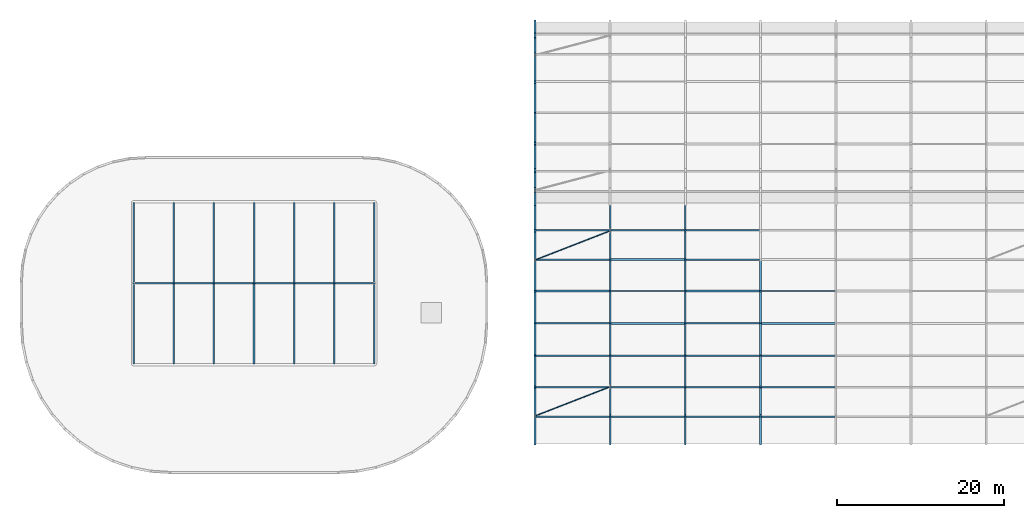
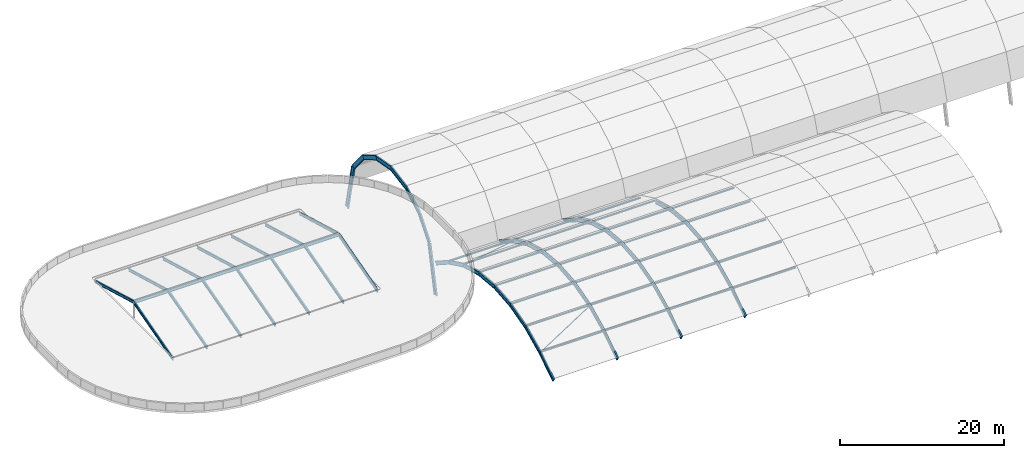
# One storey, part 3 of 15: 80 members, 1 beam.
"""IFC4 building model written with IfcOpenShell, lengths in metres."""

from ifc_helpers import new_model, si_unit, direction, frame, origin, origin_2d, place, context, subcontext, project, spatial, hollow_circle, i_section, extrude, material, material_profile, profile_set, type_object, element, save


model = new_model("IFC4")

# Units and contexts
model_context = context("Model", 3, precision=1e-05, world=origin(), true_north=direction((0.0, 1.0)))
body_context = subcontext(model_context, "Body", "Model", "MODEL_VIEW")
ifc_project = project(units=[si_unit("LENGTHUNIT", "METRE"), si_unit("AREAUNIT", "SQUARE_METRE"), si_unit("VOLUMEUNIT", "CUBIC_METRE"), si_unit("PLANEANGLEUNIT", "RADIAN"), si_unit("MASSUNIT", "GRAM", prefix="KILO")], contexts=[model_context])

# Site, building, storey
site_placement = place(None, origin())
site = spatial("IfcSite", under=ifc_project, at=site_placement, CompositionType="ELEMENT")
building_placement = place(site_placement, origin())
building = spatial("IfcBuilding", under=site, at=building_placement, Name="Cendralis Terraced Arcade", CompositionType="ELEMENT")
storey_placement = place(building_placement, frame((0.0, 0.0, 34.199951171875)))
storey = spatial("IfcBuildingStorey", under=building, at=storey_placement, Name="RF", CompositionType="ELEMENT", Elevation=34.199951171875)

# Beam
ifc_material_1 = material(Name="Steel ASTM A992 Grade 50", Category="steel")
ifc_material_profile_1 = material_profile(ifc_material_1, i_section(OverallWidth=0.19189453125, OverallDepth=0.462890625, WebThickness=0.010498046875, FlangeThickness=0.017578125, FilletRadius=0.012939453125, at=origin_2d()), Name="W460X89", Category="LoadBearing")
ifc_profile_set_1 = profile_set([ifc_material_profile_1], Name="Steel ASTM A992 Grade 50")
beam_type = type_object("IfcBeamType", Name="BM-CAN-W460", PredefinedType="BEAM", material=ifc_profile_set_1)
beam_placement = place(storey_placement, frame((19.31005859375, 28.800048828125, 2.300048828125), z_axis=(1.0, 0.0, 0.0), x_axis=(0.0, 1.0, 0.0)))
element("IfcBeam", 1, at=beam_placement, inside=storey, type_object=beam_type, Name="Atrium Skylight Steel Ridge Beam", PredefinedType="BEAM", context=body_context, shape_type="SweptSolid", body=[
    extrude(i_section(OverallWidth=0.19189453125, OverallDepth=0.462890625, WebThickness=0.010498046875, FlangeThickness=0.017578125, FilletRadius=0.012939453125, at=origin_2d()), origin(), (0.0, 0.0, 1.0), 28.579833984375),
])

# Members
ifc_material_profile_2 = material_profile(ifc_material_1, i_section(OverallWidth=0.178955078125, OverallDepth=0.409912109375, WebThickness=0.0087890625, FlangeThickness=0.014404296875, FilletRadius=0.010009765625, at=origin_2d()), Name="W410X67", Category="LoadBearing")
ifc_profile_set_2 = profile_set([ifc_material_profile_2], Name="Steel ASTM A992 Grade 50")
member_type_1 = type_object("IfcMemberType", Name="MEM-ARCH-W410", PredefinedType="RAFTER", material=ifc_profile_set_2)
for number, where, z_axis, x_axis, name in (
    (2, (19.199951171875, 28.800048828125, 2.330078125), (0.0, 0.963172847241, -0.268882997486), (-1.0, 0.0, 0.0), "Atrium Skylight Steel Rafter 19-2"),
    (3, (24.0, 28.800048828125, 2.330078125), (0.0, 0.963172847241, -0.268882997486), (-1.0, 0.0, 0.0), "Atrium Skylight Steel Rafter 24-2"),
    (4, (28.800048828125, 28.800048828125, 2.330078125), (0.0, 0.963172847241, -0.268882997486), (-1.0, 0.0, 0.0), "Atrium Skylight Steel Rafter 28-2"),
    (5, (33.60009765625, 28.800048828125, 2.330078125), (0.0, 0.963172847241, -0.268882997486), (-1.0, 0.0, 0.0), "Atrium Skylight Steel Rafter 33-2"),
    (6, (38.39990234375, 28.800048828125, 2.330078125), (0.0, 0.963172847241, -0.268882997486), (-1.0, 0.0, 0.0), "Atrium Skylight Steel Rafter 38-2"),
    (7, (43.199951171875, 28.800048828125, 2.330078125), (0.0, 0.963172847241, -0.268882997486), (-1.0, 0.0, 0.0), "Atrium Skylight Steel Rafter 43-2"),
    (8, (48.0, 28.800048828125, 2.330078125), (0.0, 0.963172847241, -0.268882997486), (-1.0, 0.0, 0.0), "Atrium Skylight Steel Rafter 48-2"),
):
    element("IfcMember", number, at=place(storey_placement, frame(where, z_axis=z_axis, x_axis=x_axis)), inside=storey, type_object=member_type_1, Name=name, PredefinedType="RAFTER", context=body_context, shape_type="SweptSolid", body=[
        extrude(i_section(OverallWidth=0.178955078125, OverallDepth=0.409912109375, WebThickness=0.0087890625, FlangeThickness=0.014404296875, FilletRadius=0.010009765625, at=origin_2d()), origin(), (0.0, 0.0, 1.0), 9.966796875),
    ])
ifc_material_profile_3 = material_profile(ifc_material_1, i_section(OverallWidth=0.194091796875, OverallDepth=0.468994140625, WebThickness=0.0126953125, FlangeThickness=0.0205078125, FilletRadius=0.012939453125, at=origin_2d()), Name="W460X106", Category="LoadBearing")
ifc_profile_set_3 = profile_set([ifc_material_profile_3], Name="Steel ASTM A992 Grade 50")
member_type_2 = type_object("IfcMemberType", Name="MEM-ARCH-W460", PredefinedType="RAFTER", material=ifc_profile_set_3)
for number, where, z_axis, x_axis, name in (
    (9, (19.199951171875, 19.199951171875, -0.349853515625), (0.0, 0.963174618129, 0.268876653863), (-1.0, 0.0, 0.0), "Atrium Skylight Steel Rafter 19-1"),
    (10, (24.0, 19.199951171875, -0.349853515625), (0.0, 0.963174618129, 0.268876653863), (-1.0, 0.0, 0.0), "Atrium Skylight Steel Rafter 24-1"),
    (11, (28.800048828125, 19.199951171875, -0.349853515625), (0.0, 0.963174618129, 0.268876653863), (-1.0, 0.0, 0.0), "Atrium Skylight Steel Rafter 28-1"),
    (12, (33.60009765625, 19.199951171875, -0.349853515625), (0.0, 0.963174618129, 0.268876653863), (-1.0, 0.0, 0.0), "Atrium Skylight Steel Rafter 33-1"),
    (13, (38.39990234375, 19.199951171875, -0.349853515625), (0.0, 0.963174618129, 0.268876653863), (-1.0, 0.0, 0.0), "Atrium Skylight Steel Rafter 38-1"),
    (14, (43.199951171875, 19.199951171875, -0.349853515625), (0.0, 0.963174618129, 0.268876653863), (-1.0, 0.0, 0.0), "Atrium Skylight Steel Rafter 43-1"),
    (15, (48.0, 19.199951171875, -0.349853515625), (0.0, 0.963174618129, 0.268876653863), (-1.0, 0.0, 0.0), "Atrium Skylight Steel Rafter 48-1"),
):
    element("IfcMember", number, at=place(storey_placement, frame(where, z_axis=z_axis, x_axis=x_axis)), inside=storey, type_object=member_type_2, Name=name, PredefinedType="RAFTER", context=body_context, shape_type="SweptSolid", body=[
        extrude(i_section(OverallWidth=0.194091796875, OverallDepth=0.468994140625, WebThickness=0.0126953125, FlangeThickness=0.0205078125, FilletRadius=0.012939453125, at=origin_2d()), origin(), (0.0, 0.0, 1.0), 9.967041015625),
    ])
ifc_material_profile_4 = material_profile(ifc_material_1, i_section(OverallWidth=0.2099609375, OverallDepth=0.537109375, WebThickness=0.010986328125, FlangeThickness=0.017333984375, FilletRadius=0.012939453125, at=origin_2d()), Name="W530X101", Category="LoadBearing")
ifc_profile_set_4 = profile_set([ifc_material_profile_4], Name="Steel ASTM A992 Grade 50")
member_type_3 = type_object("IfcMemberType", Name="MEM-ARCH-W530", PredefinedType="RAFTER", material=ifc_profile_set_4)
member_1_placement = place(storey_placement, frame((67.199951171875, 9.60009765625, -14.5), z_axis=(0.0, 0.840133581177, 0.542379540339), x_axis=(-1.0, 0.0, 0.0)))
element("IfcMember", 16, at=member_1_placement, inside=storey, type_object=member_type_3, Name="Gourmet Food Hall Barrel Vault Arch Rib VA-FH-R01-S1", PredefinedType="RAFTER", context=body_context, shape_type="SweptSolid", body=[
    extrude(i_section(OverallWidth=0.2099609375, OverallDepth=0.537109375, WebThickness=0.010986328125, FlangeThickness=0.017333984375, FilletRadius=0.012939453125, at=origin_2d()), origin(), (0.0, 0.0, 1.0), 3.961181640625),
])
member_2_placement = place(storey_placement, frame((67.199951171875, 12.927978515625, -12.3515625), z_axis=(0.0, 0.901136792694, 0.433534866941), x_axis=(-1.0, 0.0, 0.0)))
element("IfcMember", 17, at=member_2_placement, inside=storey, type_object=member_type_3, Name="Gourmet Food Hall Barrel Vault Arch Rib VA-FH-R01-S2", PredefinedType="RAFTER", context=body_context, shape_type="SweptSolid", body=[
    extrude(i_section(OverallWidth=0.2099609375, OverallDepth=0.537109375, WebThickness=0.010986328125, FlangeThickness=0.017333984375, FilletRadius=0.012939453125, at=origin_2d()), origin(), (0.0, 0.0, 1.0), 3.869873046875),
])
member_3_placement = place(storey_placement, frame((67.199951171875, 16.415283203125, -10.673828125), z_axis=(0.0, 0.964011577541, 0.265860260979), x_axis=(-1.0, 0.0, 0.0)))
element("IfcMember", 18, at=member_3_placement, inside=storey, type_object=member_type_3, Name="Gourmet Food Hall Barrel Vault Arch Rib VA-FH-R01-S3", PredefinedType="RAFTER", context=body_context, shape_type="SweptSolid", body=[
    extrude(i_section(OverallWidth=0.2099609375, OverallDepth=0.537109375, WebThickness=0.010986328125, FlangeThickness=0.017333984375, FilletRadius=0.012939453125, at=origin_2d()), origin(), (0.0, 0.0, 1.0), 3.86962890625),
])
for number, where, z_axis, x_axis, name in (
    (19, (67.199951171875, 20.145751953125, -9.64501953125), (0.0, 0.995979112338, 0.089585756605), (-1.0, 0.0, 0.0), "Gourmet Food Hall Barrel Vault Arch Rib VA-FH-R01-S4"),
    (20, (67.199951171875, 24.0, -9.29833984375), (0.0, 0.995979112338, -0.089585756605), (-1.0, 0.0, 0.0), "Gourmet Food Hall Barrel Vault Arch Rib VA-FH-R01-S5"),
):
    element("IfcMember", number, at=place(storey_placement, frame(where, z_axis=z_axis, x_axis=x_axis)), inside=storey, type_object=member_type_3, Name=name, PredefinedType="RAFTER", context=body_context, shape_type="SweptSolid", body=[
        extrude(i_section(OverallWidth=0.2099609375, OverallDepth=0.537109375, WebThickness=0.010986328125, FlangeThickness=0.017333984375, FilletRadius=0.012939453125, at=origin_2d()), origin(), (0.0, 0.0, 1.0), 3.869873046875),
    ])
member_4_placement = place(storey_placement, frame((67.199951171875, 27.854248046875, -9.64501953125), z_axis=(0.0, 0.964011577541, -0.265860260979), x_axis=(-1.0, 0.0, 0.0)))
element("IfcMember", 21, at=member_4_placement, inside=storey, type_object=member_type_3, Name="Gourmet Food Hall Barrel Vault Arch Rib VA-FH-R01-S6", PredefinedType="RAFTER", context=body_context, shape_type="SweptSolid", body=[
    extrude(i_section(OverallWidth=0.2099609375, OverallDepth=0.537109375, WebThickness=0.010986328125, FlangeThickness=0.017333984375, FilletRadius=0.012939453125, at=origin_2d()), origin(), (0.0, 0.0, 1.0), 3.86962890625),
])
member_5_placement = place(storey_placement, frame((67.199951171875, 31.584716796875, -10.673828125), z_axis=(0.0, 0.901136792694, -0.433534866941), x_axis=(-1.0, 0.0, 0.0)))
element("IfcMember", 22, at=member_5_placement, inside=storey, type_object=member_type_3, Name="Gourmet Food Hall Barrel Vault Arch Rib VA-FH-R01-S7", PredefinedType="RAFTER", context=body_context, shape_type="SweptSolid", body=[
    extrude(i_section(OverallWidth=0.2099609375, OverallDepth=0.537109375, WebThickness=0.010986328125, FlangeThickness=0.017333984375, FilletRadius=0.012939453125, at=origin_2d()), origin(), (0.0, 0.0, 1.0), 3.869873046875),
])
for number, where, z_axis, x_axis, name in (
    (23, (67.199951171875, 35.072021484375, -12.3515625), (0.0, 0.840133581177, -0.542379540339), (-1.0, 0.0, 0.0), "Gourmet Food Hall Barrel Vault Arch Rib VA-FH-R01-S8"),
    (24, (76.199951171875, 9.60009765625, -14.5), (0.0, 0.840133581177, 0.542379540339), (-1.0, 0.0, 0.0), "Gourmet Food Hall Barrel Vault Arch Rib VA-FH-R02-S1"),
):
    element("IfcMember", number, at=place(storey_placement, frame(where, z_axis=z_axis, x_axis=x_axis)), inside=storey, type_object=member_type_3, Name=name, PredefinedType="RAFTER", context=body_context, shape_type="SweptSolid", body=[
        extrude(i_section(OverallWidth=0.2099609375, OverallDepth=0.537109375, WebThickness=0.010986328125, FlangeThickness=0.017333984375, FilletRadius=0.012939453125, at=origin_2d()), origin(), (0.0, 0.0, 1.0), 3.961181640625),
    ])
member_6_placement = place(storey_placement, frame((76.199951171875, 12.927978515625, -12.3515625), z_axis=(0.0, 0.901136792694, 0.433534866941), x_axis=(-1.0, 0.0, 0.0)))
element("IfcMember", 25, at=member_6_placement, inside=storey, type_object=member_type_3, Name="Gourmet Food Hall Barrel Vault Arch Rib VA-FH-R02-S2", PredefinedType="RAFTER", context=body_context, shape_type="SweptSolid", body=[
    extrude(i_section(OverallWidth=0.2099609375, OverallDepth=0.537109375, WebThickness=0.010986328125, FlangeThickness=0.017333984375, FilletRadius=0.012939453125, at=origin_2d()), origin(), (0.0, 0.0, 1.0), 3.869873046875),
])
member_7_placement = place(storey_placement, frame((76.199951171875, 16.415283203125, -10.673828125), z_axis=(0.0, 0.964011577541, 0.265860260979), x_axis=(-1.0, 0.0, 0.0)))
element("IfcMember", 26, at=member_7_placement, inside=storey, type_object=member_type_3, Name="Gourmet Food Hall Barrel Vault Arch Rib VA-FH-R02-S3", PredefinedType="RAFTER", context=body_context, shape_type="SweptSolid", body=[
    extrude(i_section(OverallWidth=0.2099609375, OverallDepth=0.537109375, WebThickness=0.010986328125, FlangeThickness=0.017333984375, FilletRadius=0.012939453125, at=origin_2d()), origin(), (0.0, 0.0, 1.0), 3.86962890625),
])
for number, where, z_axis, x_axis, name in (
    (27, (76.199951171875, 20.145751953125, -9.64501953125), (0.0, 0.995979112338, 0.089585756605), (-1.0, 0.0, 0.0), "Gourmet Food Hall Barrel Vault Arch Rib VA-FH-R02-S4"),
    (28, (76.199951171875, 24.0, -9.29833984375), (0.0, 0.995979112338, -0.089585756605), (-1.0, 0.0, 0.0), "Gourmet Food Hall Barrel Vault Arch Rib VA-FH-R02-S5"),
):
    element("IfcMember", number, at=place(storey_placement, frame(where, z_axis=z_axis, x_axis=x_axis)), inside=storey, type_object=member_type_3, Name=name, PredefinedType="RAFTER", context=body_context, shape_type="SweptSolid", body=[
        extrude(i_section(OverallWidth=0.2099609375, OverallDepth=0.537109375, WebThickness=0.010986328125, FlangeThickness=0.017333984375, FilletRadius=0.012939453125, at=origin_2d()), origin(), (0.0, 0.0, 1.0), 3.869873046875),
    ])
member_8_placement = place(storey_placement, frame((76.199951171875, 27.854248046875, -9.64501953125), z_axis=(0.0, 0.964011577541, -0.265860260979), x_axis=(-1.0, 0.0, 0.0)))
element("IfcMember", 29, at=member_8_placement, inside=storey, type_object=member_type_3, Name="Gourmet Food Hall Barrel Vault Arch Rib VA-FH-R02-S6", PredefinedType="RAFTER", context=body_context, shape_type="SweptSolid", body=[
    extrude(i_section(OverallWidth=0.2099609375, OverallDepth=0.537109375, WebThickness=0.010986328125, FlangeThickness=0.017333984375, FilletRadius=0.012939453125, at=origin_2d()), origin(), (0.0, 0.0, 1.0), 3.86962890625),
])
member_9_placement = place(storey_placement, frame((76.199951171875, 31.584716796875, -10.673828125), z_axis=(0.0, 0.901136792694, -0.433534866941), x_axis=(-1.0, 0.0, 0.0)))
element("IfcMember", 30, at=member_9_placement, inside=storey, type_object=member_type_3, Name="Gourmet Food Hall Barrel Vault Arch Rib VA-FH-R02-S7", PredefinedType="RAFTER", context=body_context, shape_type="SweptSolid", body=[
    extrude(i_section(OverallWidth=0.2099609375, OverallDepth=0.537109375, WebThickness=0.010986328125, FlangeThickness=0.017333984375, FilletRadius=0.012939453125, at=origin_2d()), origin(), (0.0, 0.0, 1.0), 3.869873046875),
])
for number, where, z_axis, x_axis, name in (
    (31, (76.199951171875, 35.072021484375, -12.3515625), (0.0, 0.840133581177, -0.542379540339), (-1.0, 0.0, 0.0), "Gourmet Food Hall Barrel Vault Arch Rib VA-FH-R02-S8"),
    (32, (85.199951171875, 9.60009765625, -14.5), (0.0, 0.840133581177, 0.542379540339), (-1.0, 0.0, 0.0), "Gourmet Food Hall Barrel Vault Arch Rib VA-FH-R03-S1"),
):
    element("IfcMember", number, at=place(storey_placement, frame(where, z_axis=z_axis, x_axis=x_axis)), inside=storey, type_object=member_type_3, Name=name, PredefinedType="RAFTER", context=body_context, shape_type="SweptSolid", body=[
        extrude(i_section(OverallWidth=0.2099609375, OverallDepth=0.537109375, WebThickness=0.010986328125, FlangeThickness=0.017333984375, FilletRadius=0.012939453125, at=origin_2d()), origin(), (0.0, 0.0, 1.0), 3.961181640625),
    ])
member_10_placement = place(storey_placement, frame((85.199951171875, 12.927978515625, -12.3515625), z_axis=(0.0, 0.901136792694, 0.433534866941), x_axis=(-1.0, 0.0, 0.0)))
element("IfcMember", 33, at=member_10_placement, inside=storey, type_object=member_type_3, Name="Gourmet Food Hall Barrel Vault Arch Rib VA-FH-R03-S2", PredefinedType="RAFTER", context=body_context, shape_type="SweptSolid", body=[
    extrude(i_section(OverallWidth=0.2099609375, OverallDepth=0.537109375, WebThickness=0.010986328125, FlangeThickness=0.017333984375, FilletRadius=0.012939453125, at=origin_2d()), origin(), (0.0, 0.0, 1.0), 3.869873046875),
])
member_11_placement = place(storey_placement, frame((85.199951171875, 16.415283203125, -10.673828125), z_axis=(0.0, 0.964011577541, 0.265860260979), x_axis=(-1.0, 0.0, 0.0)))
element("IfcMember", 34, at=member_11_placement, inside=storey, type_object=member_type_3, Name="Gourmet Food Hall Barrel Vault Arch Rib VA-FH-R03-S3", PredefinedType="RAFTER", context=body_context, shape_type="SweptSolid", body=[
    extrude(i_section(OverallWidth=0.2099609375, OverallDepth=0.537109375, WebThickness=0.010986328125, FlangeThickness=0.017333984375, FilletRadius=0.012939453125, at=origin_2d()), origin(), (0.0, 0.0, 1.0), 3.86962890625),
])
for number, where, z_axis, x_axis, name in (
    (35, (85.199951171875, 20.145751953125, -9.64501953125), (0.0, 0.995979112338, 0.089585756605), (-1.0, 0.0, 0.0), "Gourmet Food Hall Barrel Vault Arch Rib VA-FH-R03-S4"),
    (36, (85.199951171875, 24.0, -9.29833984375), (0.0, 0.995979112338, -0.089585756605), (-1.0, 0.0, 0.0), "Gourmet Food Hall Barrel Vault Arch Rib VA-FH-R03-S5"),
):
    element("IfcMember", number, at=place(storey_placement, frame(where, z_axis=z_axis, x_axis=x_axis)), inside=storey, type_object=member_type_3, Name=name, PredefinedType="RAFTER", context=body_context, shape_type="SweptSolid", body=[
        extrude(i_section(OverallWidth=0.2099609375, OverallDepth=0.537109375, WebThickness=0.010986328125, FlangeThickness=0.017333984375, FilletRadius=0.012939453125, at=origin_2d()), origin(), (0.0, 0.0, 1.0), 3.869873046875),
    ])
member_12_placement = place(storey_placement, frame((85.199951171875, 27.854248046875, -9.64501953125), z_axis=(0.0, 0.964011577541, -0.265860260979), x_axis=(-1.0, 0.0, 0.0)))
element("IfcMember", 37, at=member_12_placement, inside=storey, type_object=member_type_3, Name="Gourmet Food Hall Barrel Vault Arch Rib VA-FH-R03-S6", PredefinedType="RAFTER", context=body_context, shape_type="SweptSolid", body=[
    extrude(i_section(OverallWidth=0.2099609375, OverallDepth=0.537109375, WebThickness=0.010986328125, FlangeThickness=0.017333984375, FilletRadius=0.012939453125, at=origin_2d()), origin(), (0.0, 0.0, 1.0), 3.86962890625),
])
member_13_placement = place(storey_placement, frame((85.199951171875, 31.584716796875, -10.673828125), z_axis=(0.0, 0.901136792694, -0.433534866941), x_axis=(-1.0, 0.0, 0.0)))
element("IfcMember", 38, at=member_13_placement, inside=storey, type_object=member_type_3, Name="Gourmet Food Hall Barrel Vault Arch Rib VA-FH-R03-S7", PredefinedType="RAFTER", context=body_context, shape_type="SweptSolid", body=[
    extrude(i_section(OverallWidth=0.2099609375, OverallDepth=0.537109375, WebThickness=0.010986328125, FlangeThickness=0.017333984375, FilletRadius=0.012939453125, at=origin_2d()), origin(), (0.0, 0.0, 1.0), 3.869873046875),
])
for number, where, z_axis, x_axis, name in (
    (39, (85.199951171875, 35.072021484375, -12.3515625), (0.0, 0.840133581177, -0.542379540339), (-1.0, 0.0, 0.0), "Gourmet Food Hall Barrel Vault Arch Rib VA-FH-R03-S8"),
    (40, (94.199951171875, 9.60009765625, -14.5), (0.0, 0.840133581177, 0.542379540339), (-1.0, 0.0, 0.0), "Gourmet Food Hall Barrel Vault Arch Rib VA-FH-R04-S1"),
):
    element("IfcMember", number, at=place(storey_placement, frame(where, z_axis=z_axis, x_axis=x_axis)), inside=storey, type_object=member_type_3, Name=name, PredefinedType="RAFTER", context=body_context, shape_type="SweptSolid", body=[
        extrude(i_section(OverallWidth=0.2099609375, OverallDepth=0.537109375, WebThickness=0.010986328125, FlangeThickness=0.017333984375, FilletRadius=0.012939453125, at=origin_2d()), origin(), (0.0, 0.0, 1.0), 3.961181640625),
    ])
member_14_placement = place(storey_placement, frame((94.199951171875, 12.927978515625, -12.3515625), z_axis=(0.0, 0.901136792694, 0.433534866941), x_axis=(-1.0, 0.0, 0.0)))
element("IfcMember", 41, at=member_14_placement, inside=storey, type_object=member_type_3, Name="Gourmet Food Hall Barrel Vault Arch Rib VA-FH-R04-S2", PredefinedType="RAFTER", context=body_context, shape_type="SweptSolid", body=[
    extrude(i_section(OverallWidth=0.2099609375, OverallDepth=0.537109375, WebThickness=0.010986328125, FlangeThickness=0.017333984375, FilletRadius=0.012939453125, at=origin_2d()), origin(), (0.0, 0.0, 1.0), 3.869873046875),
])
member_15_placement = place(storey_placement, frame((94.199951171875, 16.415283203125, -10.673828125), z_axis=(0.0, 0.964011577541, 0.265860260979), x_axis=(-1.0, 0.0, 0.0)))
element("IfcMember", 42, at=member_15_placement, inside=storey, type_object=member_type_3, Name="Gourmet Food Hall Barrel Vault Arch Rib VA-FH-R04-S3", PredefinedType="RAFTER", context=body_context, shape_type="SweptSolid", body=[
    extrude(i_section(OverallWidth=0.2099609375, OverallDepth=0.537109375, WebThickness=0.010986328125, FlangeThickness=0.017333984375, FilletRadius=0.012939453125, at=origin_2d()), origin(), (0.0, 0.0, 1.0), 3.86962890625),
])
for number, where, z_axis, x_axis, name in (
    (43, (94.199951171875, 20.145751953125, -9.64501953125), (0.0, 0.995979112338, 0.089585756605), (-1.0, 0.0, 0.0), "Gourmet Food Hall Barrel Vault Arch Rib VA-FH-R04-S4"),
    (44, (94.199951171875, 24.0, -9.29833984375), (0.0, 0.995979112338, -0.089585756605), (-1.0, 0.0, 0.0), "Gourmet Food Hall Barrel Vault Arch Rib VA-FH-R04-S5"),
):
    element("IfcMember", number, at=place(storey_placement, frame(where, z_axis=z_axis, x_axis=x_axis)), inside=storey, type_object=member_type_3, Name=name, PredefinedType="RAFTER", context=body_context, shape_type="SweptSolid", body=[
        extrude(i_section(OverallWidth=0.2099609375, OverallDepth=0.537109375, WebThickness=0.010986328125, FlangeThickness=0.017333984375, FilletRadius=0.012939453125, at=origin_2d()), origin(), (0.0, 0.0, 1.0), 3.869873046875),
    ])
member_16_placement = place(storey_placement, frame((94.199951171875, 27.854248046875, -9.64501953125), z_axis=(0.0, 0.964011577541, -0.265860260979), x_axis=(-1.0, 0.0, 0.0)))
element("IfcMember", 45, at=member_16_placement, inside=storey, type_object=member_type_3, Name="Gourmet Food Hall Barrel Vault Arch Rib VA-FH-R04-S6", PredefinedType="RAFTER", context=body_context, shape_type="SweptSolid", body=[
    extrude(i_section(OverallWidth=0.2099609375, OverallDepth=0.537109375, WebThickness=0.010986328125, FlangeThickness=0.017333984375, FilletRadius=0.012939453125, at=origin_2d()), origin(), (0.0, 0.0, 1.0), 3.86962890625),
])
ifc_material_profile_5 = material_profile(ifc_material_1, i_section(OverallWidth=0.22900390625, OverallDepth=0.612060546875, WebThickness=0.011962890625, FlangeThickness=0.01953125, FilletRadius=0.012939453125, at=origin_2d()), Name="W610X125", Category="LoadBearing")
ifc_profile_set_5 = profile_set([ifc_material_profile_5], Name="Steel ASTM A992 Grade 50")
member_type_4 = type_object("IfcMemberType", Name="MEM-ARCH-W610", PredefinedType="RAFTER", material=ifc_profile_set_5)
member_17_placement = place(storey_placement, frame((67.199951171875, 38.39990234375, -19.300048828125), z_axis=(0.0, 0.217739450322, 0.976006932236), x_axis=(-1.0, 0.0, 0.0)))
element("IfcMember", 46, at=member_17_placement, inside=storey, type_object=member_type_4, Name="Shopping Arcade Barrel Vault Arch Rib VA-ARC-R01-S1", PredefinedType="RAFTER", context=body_context, shape_type="SweptSolid", body=[
    extrude(i_section(OverallWidth=0.22900390625, OverallDepth=0.612060546875, WebThickness=0.011962890625, FlangeThickness=0.01953125, FilletRadius=0.012939453125, at=origin_2d()), origin(), (0.0, 0.0, 1.0), 7.093017578125),
])
member_18_placement = place(storey_placement, frame((67.199951171875, 39.9443359375, -12.377197265625), z_axis=(0.0, 0.632692786232, 0.774402891427), x_axis=(-1.0, 0.0, 0.0)))
element("IfcMember", 47, at=member_18_placement, inside=storey, type_object=member_type_4, Name="Shopping Arcade Barrel Vault Arch Rib VA-ARC-R01-S2", PredefinedType="RAFTER", context=body_context, shape_type="SweptSolid", body=[
    extrude(i_section(OverallWidth=0.22900390625, OverallDepth=0.612060546875, WebThickness=0.011962890625, FlangeThickness=0.01953125, FilletRadius=0.012939453125, at=origin_2d()), origin(), (0.0, 0.0, 1.0), 3.7333984375),
])
member_19_placement = place(storey_placement, frame((67.199951171875, 42.306396484375, -9.486083984375), z_axis=(0.0, 0.862040098356, 0.506840082103), x_axis=(-1.0, 0.0, 0.0)))
element("IfcMember", 48, at=member_19_placement, inside=storey, type_object=member_type_4, Name="Shopping Arcade Barrel Vault Arch Rib VA-ARC-R01-S3", PredefinedType="RAFTER", context=body_context, shape_type="SweptSolid", body=[
    extrude(i_section(OverallWidth=0.22900390625, OverallDepth=0.612060546875, WebThickness=0.011962890625, FlangeThickness=0.01953125, FilletRadius=0.012939453125, at=origin_2d()), origin(), (0.0, 0.0, 1.0), 3.733642578125),
])
for number, where, z_axis, x_axis, name in (
    (49, (67.199951171875, 45.52490234375, -7.59375), (0.0, 0.984360008375, 0.176168595135), (-1.0, 0.0, 0.0), "Shopping Arcade Barrel Vault Arch Rib VA-ARC-R01-S4"),
    (50, (67.199951171875, 49.199951171875, -6.93603515625), (0.0, 0.984360008375, -0.176168595135), (-1.0, 0.0, 0.0), "Shopping Arcade Barrel Vault Arch Rib VA-ARC-R01-S5"),
):
    element("IfcMember", number, at=place(storey_placement, frame(where, z_axis=z_axis, x_axis=x_axis)), inside=storey, type_object=member_type_4, Name=name, PredefinedType="RAFTER", context=body_context, shape_type="SweptSolid", body=[
        extrude(i_section(OverallWidth=0.22900390625, OverallDepth=0.612060546875, WebThickness=0.011962890625, FlangeThickness=0.01953125, FilletRadius=0.012939453125, at=origin_2d()), origin(), (0.0, 0.0, 1.0), 3.7333984375),
    ])
member_20_placement = place(storey_placement, frame((67.199951171875, 52.875, -7.59375), z_axis=(0.0, 0.862040098356, -0.506840082103), x_axis=(-1.0, 0.0, 0.0)))
element("IfcMember", 51, at=member_20_placement, inside=storey, type_object=member_type_4, Name="Shopping Arcade Barrel Vault Arch Rib VA-ARC-R01-S6", PredefinedType="RAFTER", context=body_context, shape_type="SweptSolid", body=[
    extrude(i_section(OverallWidth=0.22900390625, OverallDepth=0.612060546875, WebThickness=0.011962890625, FlangeThickness=0.01953125, FilletRadius=0.012939453125, at=origin_2d()), origin(), (0.0, 0.0, 1.0), 3.733642578125),
])
member_21_placement = place(storey_placement, frame((67.199951171875, 56.093505859375, -9.486083984375), z_axis=(0.0, 0.632732000931, -0.774370851077), x_axis=(-1.0, 0.0, 0.0)))
element("IfcMember", 52, at=member_21_placement, inside=storey, type_object=member_type_4, Name="Shopping Arcade Barrel Vault Arch Rib VA-ARC-R01-S7", PredefinedType="RAFTER", context=body_context, shape_type="SweptSolid", body=[
    extrude(i_section(OverallWidth=0.22900390625, OverallDepth=0.612060546875, WebThickness=0.011962890625, FlangeThickness=0.01953125, FilletRadius=0.012939453125, at=origin_2d()), origin(), (0.0, 0.0, 1.0), 3.7333984375),
])
member_22_placement = place(storey_placement, frame((67.199951171875, 58.455810546875, -12.377197265625), z_axis=(0.0, 0.217706662043, -0.976014246465), x_axis=(-1.0, 0.0, 0.0)))
element("IfcMember", 53, at=member_22_placement, inside=storey, type_object=member_type_4, Name="Shopping Arcade Barrel Vault Arch Rib VA-ARC-R01-S8", PredefinedType="RAFTER", context=body_context, shape_type="SweptSolid", body=[
    extrude(i_section(OverallWidth=0.22900390625, OverallDepth=0.612060546875, WebThickness=0.011962890625, FlangeThickness=0.01953125, FilletRadius=0.012939453125, at=origin_2d()), origin(), (0.0, 0.0, 1.0), 7.093017578125),
])
ifc_material_2 = material(Name="Steel ASTM A572 Grade 50", Category="steel")
ifc_material_profile_6 = material_profile(ifc_material_2, hollow_circle(Radius=0.06982421875, WallThickness=0.00634765625, at=origin_2d()), Name="CHS139X6.3", Category="LoadBearing")
ifc_profile_set_6 = profile_set([ifc_material_profile_6], Name="Steel ASTM A572 Grade 50")
member_type_5 = type_object("IfcMemberType", Name="MEM-BRC-CHS139", PredefinedType="BRACE", material=ifc_profile_set_6)
for number, where, z_axis, x_axis, name in (
    (54, (67.215087890625, 12.927978515625, -12.3515625), (0.918192754389, 0.356970831052, 0.171737857112), (-0.362354445443, 0.932040372445, 0.0), "Gourmet Food Hall Barrel Vault Wind Brace B01-K2"),
    (55, (67.215087890625, 31.584716796875, -10.673828125), (0.918192754389, 0.356970831052, -0.171737857112), (-0.362354445443, 0.932040372445, 0.0), "Gourmet Food Hall Barrel Vault Wind Brace B01-K7"),
):
    element("IfcMember", number, at=place(storey_placement, frame(where, z_axis=z_axis, x_axis=x_axis)), inside=storey, type_object=member_type_5, Name=name, PredefinedType="BRACE", context=body_context, shape_type="SweptSolid", body=[
        extrude(hollow_circle(Radius=0.06982421875, WallThickness=0.00634765625, at=origin_2d()), origin(), (0.0, 0.0, 1.0), 9.76904296875),
    ])
ifc_material_profile_7 = material_profile(ifc_material_1, i_section(OverallWidth=0.202880859375, OverallDepth=0.202880859375, WebThickness=0.007080078125, FlangeThickness=0.010986328125, at=origin_2d()), Name="W200X46.1", Category="LoadBearing")
ifc_profile_set_7 = profile_set([ifc_material_profile_7], Name="Steel ASTM A992 Grade 50")
member_type_6 = type_object("IfcMemberType", Name="MEM-PUR-HSS150", PredefinedType="PURLIN", material=ifc_profile_set_7)
for number, where, z_axis, x_axis, name in (
    (56, (67.2119140625, 12.85009765625, -12.22119140625), (1.0, 0.0, 0.0), (0.0, 1.0, 0.0), "Gourmet Food Hall Barrel Vault Purlin B01-K1"),
    (57, (67.2119140625, 20.11865234375, -9.495361328125), (1.0, 0.0, 0.0), (0.0, 1.0, 0.0), "Gourmet Food Hall Barrel Vault Purlin B01-K3"),
    (58, (67.2119140625, 27.88134765625, -9.495361328125), (1.0, 0.0, 0.0), (0.0, 1.0, 0.0), "Gourmet Food Hall Barrel Vault Purlin B01-K5"),
    (59, (67.2119140625, 35.14990234375, -12.22119140625), (1.0, 0.0, 0.0), (0.0, 1.0, 0.0), "Gourmet Food Hall Barrel Vault Purlin B01-K7"),
    (60, (76.2119140625, 16.36181640625, -10.531494140625), (1.0, 0.0, 0.0), (0.0, 1.0, 0.0), "Gourmet Food Hall Barrel Vault Purlin B02-K2"),
    (61, (76.2119140625, 24.0, -9.146484375), (1.0, 0.0, 0.0), (0.0, 1.0, 0.0), "Gourmet Food Hall Barrel Vault Purlin B02-K4"),
    (62, (76.2119140625, 31.63818359375, -10.531494140625), (1.0, 0.0, 0.0), (0.0, 1.0, 0.0), "Gourmet Food Hall Barrel Vault Purlin B02-K6"),
    (63, (85.2119140625, 12.85009765625, -12.22119140625), (1.0, 0.0, 0.0), (0.0, 1.0, 0.0), "Gourmet Food Hall Barrel Vault Purlin B03-K1"),
    (64, (85.2119140625, 20.11865234375, -9.495361328125), (1.0, 0.0, 0.0), (0.0, 1.0, 0.0), "Gourmet Food Hall Barrel Vault Purlin B03-K3"),
    (65, (85.2119140625, 27.88134765625, -9.495361328125), (1.0, 0.0, 0.0), (0.0, 1.0, 0.0), "Gourmet Food Hall Barrel Vault Purlin B03-K5"),
    (66, (85.2119140625, 35.14990234375, -12.22119140625), (1.0, 0.0, 0.0), (0.0, 1.0, 0.0), "Gourmet Food Hall Barrel Vault Purlin B03-K7"),
    (67, (94.2119140625, 16.36181640625, -10.531494140625), (1.0, 0.0, 0.0), (0.0, 1.0, 0.0), "Gourmet Food Hall Barrel Vault Purlin B04-K2"),
    (68, (94.2119140625, 24.0, -9.146484375), (1.0, 0.0, 0.0), (0.0, 1.0, 0.0), "Gourmet Food Hall Barrel Vault Purlin B04-K4"),
):
    element("IfcMember", number, at=place(storey_placement, frame(where, z_axis=z_axis, x_axis=x_axis)), inside=storey, type_object=member_type_6, Name=name, PredefinedType="PURLIN", context=body_context, shape_type="SweptSolid", body=[
        extrude(i_section(OverallWidth=0.202880859375, OverallDepth=0.202880859375, WebThickness=0.007080078125, FlangeThickness=0.010986328125, at=origin_2d()), origin(), (0.0, 0.0, 1.0), 8.97607421875),
    ])
ifc_material_profile_8 = material_profile(ifc_material_1, i_section(OverallWidth=0.1650390625, OverallDepth=0.200927734375, WebThickness=0.006103515625, FlangeThickness=0.01025390625, FilletRadius=0.010009765625, at=origin_2d()), Name="W200X35.9", Category="LoadBearing")
ifc_profile_set_8 = profile_set([ifc_material_profile_8], Name="Steel ASTM A992 Grade 50")
member_type_7 = type_object("IfcMemberType", Name="MEM-PUR-W200", PredefinedType="PURLIN", material=ifc_profile_set_8)
for number, where, z_axis, x_axis, name in (
    (69, (67.2119140625, 16.361572265625, -10.530517578125), (1.0, 0.0, 0.0), (0.0, 1.0, 0.0), "Gourmet Food Hall Barrel Vault Purlin B01-K2"),
    (70, (67.2119140625, 24.0, -9.1455078125), (1.0, 0.0, 0.0), (0.0, 1.0, 0.0), "Gourmet Food Hall Barrel Vault Purlin B01-K4"),
    (71, (67.2119140625, 31.638427734375, -10.530517578125), (1.0, 0.0, 0.0), (0.0, 1.0, 0.0), "Gourmet Food Hall Barrel Vault Purlin B01-K6"),
    (72, (76.2119140625, 12.849609375, -12.22021484375), (1.0, 0.0, 0.0), (0.0, 1.0, 0.0), "Gourmet Food Hall Barrel Vault Purlin B02-K1"),
    (73, (76.2119140625, 20.118408203125, -9.49462890625), (1.0, 0.0, 0.0), (0.0, 1.0, 0.0), "Gourmet Food Hall Barrel Vault Purlin B02-K3"),
    (74, (76.2119140625, 27.881591796875, -9.49462890625), (1.0, 0.0, 0.0), (0.0, 1.0, 0.0), "Gourmet Food Hall Barrel Vault Purlin B02-K5"),
    (75, (76.2119140625, 35.150390625, -12.22021484375), (1.0, 0.0, 0.0), (0.0, 1.0, 0.0), "Gourmet Food Hall Barrel Vault Purlin B02-K7"),
    (76, (85.2119140625, 16.361572265625, -10.530517578125), (1.0, 0.0, 0.0), (0.0, 1.0, 0.0), "Gourmet Food Hall Barrel Vault Purlin B03-K2"),
    (77, (85.2119140625, 24.0, -9.1455078125), (1.0, 0.0, 0.0), (0.0, 1.0, 0.0), "Gourmet Food Hall Barrel Vault Purlin B03-K4"),
    (78, (85.2119140625, 31.638427734375, -10.530517578125), (1.0, 0.0, 0.0), (0.0, 1.0, 0.0), "Gourmet Food Hall Barrel Vault Purlin B03-K6"),
    (79, (94.2119140625, 12.849609375, -12.22021484375), (1.0, 0.0, 0.0), (0.0, 1.0, 0.0), "Gourmet Food Hall Barrel Vault Purlin B04-K1"),
    (80, (94.2119140625, 20.118408203125, -9.49462890625), (1.0, 0.0, 0.0), (0.0, 1.0, 0.0), "Gourmet Food Hall Barrel Vault Purlin B04-K3"),
    (81, (94.2119140625, 27.881591796875, -9.49462890625), (1.0, 0.0, 0.0), (0.0, 1.0, 0.0), "Gourmet Food Hall Barrel Vault Purlin B04-K5"),
):
    element("IfcMember", number, at=place(storey_placement, frame(where, z_axis=z_axis, x_axis=x_axis)), inside=storey, type_object=member_type_7, Name=name, PredefinedType="PURLIN", context=body_context, shape_type="SweptSolid", body=[
        extrude(i_section(OverallWidth=0.1650390625, OverallDepth=0.200927734375, WebThickness=0.006103515625, FlangeThickness=0.01025390625, FilletRadius=0.010009765625, at=origin_2d()), origin(), (0.0, 0.0, 1.0), 8.97607421875),
    ])

save(model, "model.ifc")
